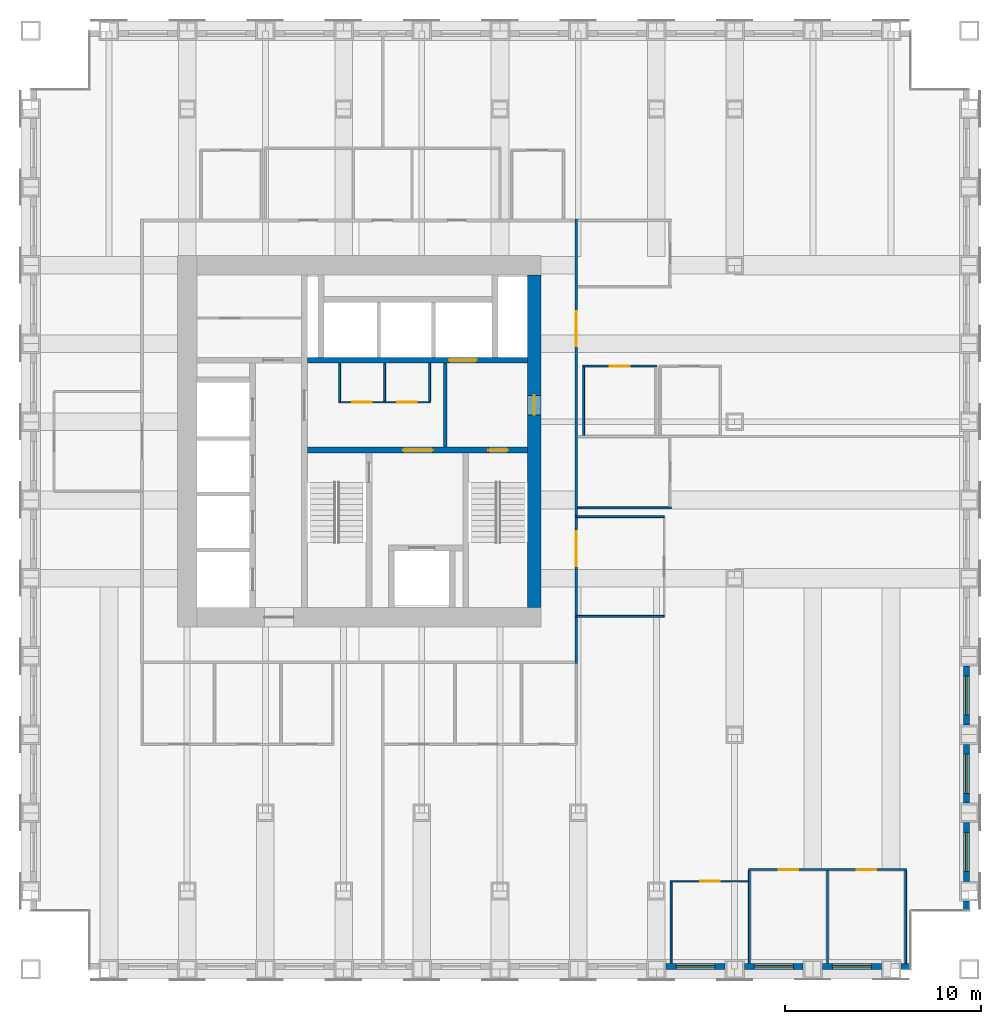
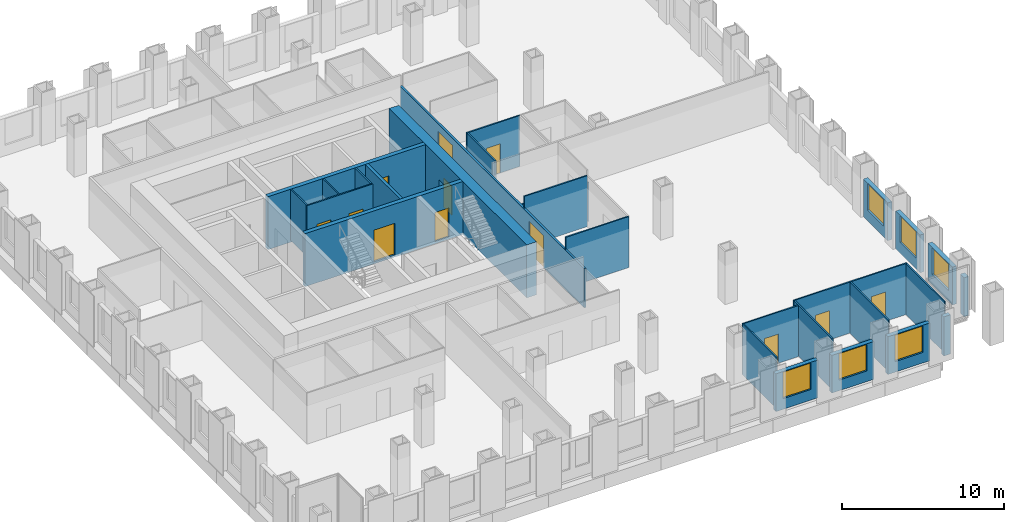
# One storey, part 12 of 16: 28 walls, 12 doors, 6 windows, 18 openings.
"""IFC4 building model written with IfcOpenShell, lengths in metres."""

from ifc_helpers import new_model, si_unit, direction, frame, frame_2d, origin, place, context, subcontext, project, spatial, rectangle, extrude, material, layer, layer_set, type_object, element, fill, save


model = new_model("IFC4")

# Units and contexts
model_context = context("Model", 3, precision=1e-05, world=origin(), true_north=direction((0.0, 1.0)))
body_context = subcontext(model_context, "Body", "Model", "MODEL_VIEW")
ifc_project = project(units=[si_unit("LENGTHUNIT", "METRE"), si_unit("AREAUNIT", "SQUARE_METRE"), si_unit("VOLUMEUNIT", "CUBIC_METRE"), si_unit("PLANEANGLEUNIT", "RADIAN"), si_unit("MASSUNIT", "GRAM", prefix="KILO")], contexts=[model_context])

# Site, building, storey
site_placement = place(None, origin())
site = spatial("IfcSite", under=ifc_project, at=site_placement, CompositionType="ELEMENT")
building_placement = place(site_placement, origin())
building = spatial("IfcBuilding", under=site, at=building_placement, Name="Rimbunsela Tower", CompositionType="ELEMENT")
storey_placement = place(building_placement, frame((0.0, 0.0, 93.39990234375)))
storey = spatial("IfcBuildingStorey", under=building, at=storey_placement, Name="L22", CompositionType="ELEMENT", Elevation=93.39990234375)

# Wall, openings, doors
ifc_material_1 = material(Name="Concrete fc' 80 MPa", Category="concrete")
ifc_layer_1 = layer(ifc_material_1, 0.300048828125)
ifc_layer_set_1 = layer_set([ifc_layer_1], Name="Core internal wall 300")
wall_type_1 = type_object("IfcWallType", Name="Core internal wall 300", PredefinedType="SHEAR", material=ifc_layer_set_1)
wall_1_placement = place(storey_placement, frame((24.14990234375, 26.550048828125, -0.14990234375), z_axis=(0.0, 0.0, 1.0), x_axis=(1.0, 0.0, 0.0)))
wall_1 = element("IfcWall", 1, at=wall_1_placement, inside=storey, type_object=wall_type_1, Name="Core wall lobby south", PredefinedType="SHEAR", context=body_context, shape_type="SweptSolid", body=[
    extrude(rectangle(XDim=11.25, YDim=0.300048828125, at=frame_2d((5.625, 0.0))), origin(), (0.0, 0.0, 1.0), 4.0),
])
opening_1_placement = place(wall_1_placement, frame((9.25, 0.0, 0.14990234375)))
opening_1 = element("IfcOpeningElement", 2, at=opening_1_placement, cuts=wall_1, Name="Opening D01", PredefinedType="OPENING", context=body_context, shape_type="SweptSolid", body=[
    extrude(rectangle(XDim=1.0, YDim=2.199951171875, at=frame_2d((0.5, 1.10009765625))), frame((0.0, 0.159912109375, 0.0), z_axis=(0.0, -1.0, 0.0), x_axis=(1.0, 0.0, 0.0)), (0.0, 0.0, 1.0), 0.320068359375),
])
opening_2_placement = place(wall_1_placement, frame((4.89990234375, 0.0, 0.14990234375)))
opening_2 = element("IfcOpeningElement", 3, at=opening_2_placement, cuts=wall_1, Name="Opening D03", PredefinedType="OPENING", context=body_context, shape_type="SweptSolid", body=[
    extrude(rectangle(XDim=1.5, YDim=2.39990234375, at=frame_2d((0.75, 1.199951171875))), frame((0.0, 0.159912109375, 0.0), z_axis=(0.0, -1.0, 0.0), x_axis=(1.0, 0.0, 0.0)), (0.0, 0.0, 1.0), 0.320068359375),
])
ifc_material_2 = material(Name="Steel door, fire rated", Category="steel")
door_type_1 = type_object("IfcDoorType", Name="Core lobby door 1500", OperationType="DOUBLE_DOOR_DOUBLE_SWING", PredefinedType="DOOR", material=ifc_material_2)
door_1_placement = place(opening_2_placement, origin())
door_1 = element("IfcDoor", 4, at=door_1_placement, inside=storey, type_object=door_type_1, Name="Firefighting lobby door", OperationType="DOUBLE_DOOR_DOUBLE_SWING", OverallHeight=2.39990234375, OverallWidth=1.5, PredefinedType="DOOR", context=body_context, shape_type="SweptSolid", body=[
    extrude(rectangle(XDim=1.5, YDim=2.39990234375, at=frame_2d((0.75, 1.199951171875))), frame((0.0, 0.02490234375, 0.0), z_axis=(0.0, -1.0, 0.0), x_axis=(1.0, 0.0, 0.0)), (0.0, 0.0, 1.0), 0.050048828125),
])
fill(opening_2, door_1)
ifc_material_3 = material(Name="Steel door, fire rated", Category="steel")
door_type_2 = type_object("IfcDoorType", Name="Stair door 1000", OperationType="SINGLE_SWING_RIGHT", PredefinedType="DOOR", material=ifc_material_3)
door_2_placement = place(opening_1_placement, frame((1.0, 0.0, 0.0), z_axis=(0.0, 0.0, 1.0), x_axis=(-1.0, 0.0, 0.0)))
door_2 = element("IfcDoor", 5, at=door_2_placement, inside=storey, type_object=door_type_2, Name="Stair B door", OperationType="SINGLE_SWING_RIGHT", OverallHeight=2.199951171875, OverallWidth=1.0, PredefinedType="DOOR", context=body_context, shape_type="SweptSolid", body=[
    extrude(rectangle(XDim=1.0, YDim=2.199951171875, at=frame_2d((0.5, 1.10009765625))), frame((0.0, 0.02490234375, 0.0), z_axis=(0.0, -1.0, 0.0), x_axis=(1.0, 0.0, 0.0)), (0.0, 0.0, 1.0), 0.050048828125),
])
fill(opening_1, door_2)

# Wall, opening, door
wall_2_placement = place(storey_placement, frame((24.14990234375, 31.14990234375, -0.14990234375), z_axis=(0.0, 0.0, 1.0), x_axis=(1.0, 0.0, 0.0)))
wall_2 = element("IfcWall", 6, at=wall_2_placement, inside=storey, type_object=wall_type_1, Name="Lift shaft front north", PredefinedType="SHEAR", context=body_context, shape_type="SweptSolid", body=[
    extrude(rectangle(XDim=11.25, YDim=0.300048828125, at=frame_2d((5.625, 0.0))), origin(), (0.0, 0.0, 1.0), 4.0),
])
opening_3_placement = place(wall_2_placement, frame((7.25, 0.0, 0.14990234375)))
opening_3 = element("IfcOpeningElement", 7, at=opening_3_placement, cuts=wall_2, Name="Opening LD3", PredefinedType="OPENING", context=body_context, shape_type="SweptSolid", body=[
    extrude(rectangle(XDim=1.39990234375, YDim=2.39990234375, at=frame_2d((0.699951171875, 1.199951171875))), frame((0.0, 0.159912109375, 0.0), z_axis=(0.0, -1.0, 0.0), x_axis=(1.0, 0.0, 0.0)), (0.0, 0.0, 1.0), 0.320068359375),
])
ifc_material_4 = material(Name="Steel door, fire rated", Category="steel")
door_type_3 = type_object("IfcDoorType", Name="Lift landing door 1400", OperationType="DOUBLE_DOOR_SLIDING", PredefinedType="DOOR", material=ifc_material_4)
door_3_placement = place(opening_3_placement, origin())
door_3 = element("IfcDoor", 8, at=door_3_placement, inside=storey, type_object=door_type_3, Name="Lift landing door FL2", OperationType="DOUBLE_DOOR_SLIDING", OverallHeight=2.39990234375, OverallWidth=1.39990234375, PredefinedType="DOOR", context=body_context, shape_type="SweptSolid", body=[
    extrude(rectangle(XDim=1.39990234375, YDim=2.39990234375, at=frame_2d((0.699951171875, 1.199951171875))), frame((0.0, 0.02490234375, 0.0), z_axis=(0.0, -1.0, 0.0), x_axis=(1.0, 0.0, 0.0)), (0.0, 0.0, 1.0), 0.050048828125),
])
fill(opening_3, door_3)

# Wall, openings, doors
ifc_material_5 = material(Name="Concrete blockwork", Category="masonry")
ifc_layer_2 = layer(ifc_material_5, 0.10009765625)
ifc_layer_set_2 = layer_set([ifc_layer_2], Name="Core room partition 100")
wall_type_2 = type_object("IfcWallType", Name="Core room partition 100", PredefinedType="PARTITIONING", material=ifc_layer_set_2)
wall_3_placement = place(storey_placement, frame((25.75, 29.0, 0.0), z_axis=(0.0, 0.0, 1.0), x_axis=(1.0, 0.0, 0.0)))
wall_3 = element("IfcWall", 9, at=wall_3_placement, inside=storey, type_object=wall_type_2, Name="Lobby room wall", PredefinedType="PARTITIONING", context=body_context, shape_type="SweptSolid", body=[
    extrude(rectangle(XDim=4.699951171875, YDim=0.10009765625, at=frame_2d((2.35009765625, 0.0))), origin(), (0.0, 0.0, 1.0), 3.85009765625),
])
opening_4_placement = place(wall_3_placement, frame((0.699951171875, 0.0, 0.0)))
opening_4 = element("IfcOpeningElement", 10, at=opening_4_placement, cuts=wall_3, Name="Opening D19", PredefinedType="OPENING", context=body_context, shape_type="SweptSolid", body=[
    extrude(rectangle(XDim=1.0, YDim=2.199951171875, at=frame_2d((0.5, 1.10009765625))), frame((0.0, 0.06005859375, 0.0), z_axis=(0.0, -1.0, 0.0), x_axis=(1.0, 0.0, 0.0)), (0.0, 0.0, 1.0), 0.1201171875),
])
opening_5_placement = place(wall_3_placement, frame((3.0, 0.0, 0.0)))
opening_5 = element("IfcOpeningElement", 11, at=opening_5_placement, cuts=wall_3, Name="Opening D19", PredefinedType="OPENING", context=body_context, shape_type="SweptSolid", body=[
    extrude(rectangle(XDim=1.0, YDim=2.199951171875, at=frame_2d((0.5, 1.10009765625))), frame((0.0, 0.06005859375, 0.0), z_axis=(0.0, -1.0, 0.0), x_axis=(1.0, 0.0, 0.0)), (0.0, 0.0, 1.0), 0.1201171875),
])
ifc_material_6 = material(Name="Steel door, fire rated", Category="steel")
door_type_4 = type_object("IfcDoorType", Name="Service door 1000 fire rated", OperationType="SINGLE_SWING_LEFT", PredefinedType="DOOR", material=ifc_material_6)
door_4_placement = place(opening_4_placement, origin())
door_4 = element("IfcDoor", 12, at=door_4_placement, inside=storey, type_object=door_type_4, Name="Staff WC door", OperationType="SINGLE_SWING_LEFT", OverallHeight=2.199951171875, OverallWidth=1.0, PredefinedType="DOOR", context=body_context, shape_type="SweptSolid", body=[
    extrude(rectangle(XDim=1.0, YDim=2.199951171875, at=frame_2d((0.5, 1.10009765625))), frame((0.0, 0.02490234375, 0.0), z_axis=(0.0, -1.0, 0.0), x_axis=(1.0, 0.0, 0.0)), (0.0, 0.0, 1.0), 0.050048828125),
])
fill(opening_4, door_4)
door_5_placement = place(opening_5_placement, origin())
door_5 = element("IfcDoor", 13, at=door_5_placement, inside=storey, type_object=door_type_4, Name="Cleaners store door", OperationType="SINGLE_SWING_LEFT", OverallHeight=2.199951171875, OverallWidth=1.0, PredefinedType="DOOR", context=body_context, shape_type="SweptSolid", body=[
    extrude(rectangle(XDim=1.0, YDim=2.199951171875, at=frame_2d((0.5, 1.10009765625))), frame((0.0, 0.02490234375, 0.0), z_axis=(0.0, -1.0, 0.0), x_axis=(1.0, 0.0, 0.0)), (0.0, 0.0, 1.0), 0.050048828125),
])
fill(opening_5, door_5)

# Walls
for number, where, z_axis, x_axis, name in (
    (14, (25.800048828125, 29.050048828125, 0.0), (0.0, 0.0, 1.0), (0.0, 1.0, 0.0), "Lobby room wall"),
    (15, (30.39990234375, 29.050048828125, 0.0), (0.0, 0.0, 1.0), (0.0, 1.0, 0.0), "Lobby room wall"),
    (16, (28.10009765625, 29.050048828125, 0.0), (0.0, 0.0, 1.0), (0.0, 1.0, 0.0), "Lobby room wall"),
):
    element("IfcWall", number, at=place(storey_placement, frame(where, z_axis=z_axis, x_axis=x_axis)), inside=storey, type_object=wall_type_2, Name=name, PredefinedType="PARTITIONING", context=body_context, shape_type="SweptSolid", body=[
        extrude(rectangle(XDim=1.949951171875, YDim=0.10009765625, at=frame_2d((0.97509765625, 0.0))), origin(), (0.0, 0.0, 1.0), 3.85009765625),
    ])

# Wall, opening, door
ifc_material_7 = material(Name="Concrete fc' 80 MPa", Category="concrete")
ifc_layer_3 = layer(ifc_material_7, 0.699951171875)
ifc_layer_set_3 = layer_set([ifc_layer_3], Name="Core wall 700 east")
wall_type_3 = type_object("IfcWallType", Name="Core wall 700 east", PredefinedType="SHEAR", material=ifc_layer_set_3)
wall_4_placement = place(storey_placement, frame((35.75, 18.5, -0.14990234375), z_axis=(0.0, 0.0, 1.0), x_axis=(0.0, 1.0, 0.0)))
wall_4 = element("IfcWall", 17, at=wall_4_placement, inside=storey, type_object=wall_type_3, Name="Core wall east", PredefinedType="SHEAR", context=body_context, shape_type="SweptSolid", body=[
    extrude(rectangle(XDim=17.0, YDim=0.699951171875, at=frame_2d((8.5, 0.0))), origin(), (0.0, 0.0, 1.0), 4.0),
])
opening_6_placement = place(wall_4_placement, frame((9.85009765625, 0.0, 0.14990234375)))
opening_6 = element("IfcOpeningElement", 18, at=opening_6_placement, cuts=wall_4, Name="Opening D01", PredefinedType="OPENING", context=body_context, shape_type="SweptSolid", body=[
    extrude(rectangle(XDim=1.0, YDim=2.199951171875, at=frame_2d((0.5, 1.10009765625))), frame((0.0, 0.35986328125, 0.0), z_axis=(0.0, -1.0, 0.0), x_axis=(1.0, 0.0, 0.0)), (0.0, 0.0, 1.0), 0.719970703125),
])
door_6_placement = place(opening_6_placement, origin())
door_6 = element("IfcDoor", 19, at=door_6_placement, inside=storey, type_object=door_type_2, Name="Firefighting lobby 2 door", OperationType="SINGLE_SWING_RIGHT", OverallHeight=2.199951171875, OverallWidth=1.0, PredefinedType="DOOR", context=body_context, shape_type="SweptSolid", body=[
    extrude(rectangle(XDim=1.0, YDim=2.199951171875, at=frame_2d((0.5, 1.10009765625))), frame((0.0, 0.02490234375, 0.0), z_axis=(0.0, -1.0, 0.0), x_axis=(1.0, 0.0, 0.0)), (0.0, 0.0, 1.0), 0.050048828125),
])
fill(opening_6, door_6)

# Wall
ifc_material_8 = material(Name="Concrete blockwork", Category="masonry")
ifc_layer_4 = layer(ifc_material_8, 0.199951171875)
ifc_layer_set_4 = layer_set([ifc_layer_4], Name="Lift shaft wall 200")
wall_type_4 = type_object("IfcWallType", Name="Lift shaft wall 200", PredefinedType="SOLIDWALL", material=ifc_layer_set_4)
wall_5_placement = place(storey_placement, frame((31.199951171875, 26.699951171875, 0.0), z_axis=(0.0, 0.0, 1.0), x_axis=(0.0, 1.0, 0.0)))
element("IfcWall", 20, at=wall_5_placement, inside=storey, type_object=wall_type_4, Name="Firefighting lobby 2 wall", PredefinedType="SOLIDWALL", context=body_context, shape_type="SweptSolid", body=[
    extrude(rectangle(XDim=4.300048828125, YDim=0.199951171875, at=frame_2d((2.14990234375, 0.0))), origin(), (0.0, 0.0, 1.0), 3.85009765625),
])

# Wall, opening, door
ifc_material_9 = material(Name="Gypsum board on steel studs", Category="steel")
ifc_layer_5 = layer(ifc_material_9, 0.10009765625)
ifc_layer_set_5 = layer_set([ifc_layer_5], Name="Office partition 100")
wall_type_5 = type_object("IfcWallType", Name="Office partition 100", PredefinedType="PARTITIONING", material=ifc_layer_set_5)
wall_6_placement = place(storey_placement, frame((42.699951171875, 4.5, 0.0), z_axis=(0.0, 0.0, 1.0), x_axis=(1.0, 0.0, 0.0)))
wall_6 = element("IfcWall", 21, at=wall_6_placement, inside=storey, type_object=wall_type_5, Name="Office partition", PredefinedType="PARTITIONING", context=body_context, shape_type="SweptSolid", body=[
    extrude(rectangle(XDim=4.0, YDim=0.10009765625, at=frame_2d((2.0, 0.0))), origin(), (0.0, 0.0, 1.0), 3.85009765625),
])
opening_7_placement = place(wall_6_placement, frame((1.550048828125, 0.0, 0.0)))
opening_7 = element("IfcOpeningElement", 22, at=opening_7_placement, cuts=wall_6, Name="Opening D16", PredefinedType="OPENING", context=body_context, shape_type="SweptSolid", body=[
    extrude(rectangle(XDim=1.0, YDim=2.199951171875, at=frame_2d((0.5, 1.10009765625))), frame((0.0, 0.06005859375, 0.0), z_axis=(0.0, -1.0, 0.0), x_axis=(1.0, 0.0, 0.0)), (0.0, 0.0, 1.0), 0.1201171875),
])
ifc_material_10 = material(Name="Timber door", Category="wood")
door_type_5 = type_object("IfcDoorType", Name="Office door 1000", OperationType="SINGLE_SWING_LEFT", PredefinedType="DOOR", material=ifc_material_10)
door_7_placement = place(opening_7_placement, origin())
door_7 = element("IfcDoor", 23, at=door_7_placement, inside=storey, type_object=door_type_5, Name="Office door", OperationType="SINGLE_SWING_LEFT", OverallHeight=2.199951171875, OverallWidth=1.0, PredefinedType="DOOR", context=body_context, shape_type="SweptSolid", body=[
    extrude(rectangle(XDim=1.0, YDim=2.199951171875, at=frame_2d((0.5, 1.10009765625))), frame((0.0, 0.02490234375, 0.0), z_axis=(0.0, -1.0, 0.0), x_axis=(1.0, 0.0, 0.0)), (0.0, 0.0, 1.0), 0.050048828125),
])
fill(opening_7, door_7)

# Wall, openings, doors
wall_7_placement = place(storey_placement, frame((46.699951171875, 5.10009765625, 0.0), z_axis=(0.0, 0.0, 1.0), x_axis=(1.0, 0.0, 0.0)))
wall_7 = element("IfcWall", 24, at=wall_7_placement, inside=storey, type_object=wall_type_5, Name="Office partition", PredefinedType="PARTITIONING", context=body_context, shape_type="SweptSolid", body=[
    extrude(rectangle(XDim=8.10009765625, YDim=0.10009765625, at=frame_2d((4.050048828125, 0.0))), origin(), (0.0, 0.0, 1.0), 3.85009765625),
])
opening_8_placement = place(wall_7_placement, frame((1.550048828125, 0.0, 0.0)))
opening_8 = element("IfcOpeningElement", 25, at=opening_8_placement, cuts=wall_7, Name="Opening D17", PredefinedType="OPENING", context=body_context, shape_type="SweptSolid", body=[
    extrude(rectangle(XDim=1.0, YDim=2.199951171875, at=frame_2d((0.5, 1.10009765625))), frame((0.0, 0.06005859375, 0.0), z_axis=(0.0, -1.0, 0.0), x_axis=(1.0, 0.0, 0.0)), (0.0, 0.0, 1.0), 0.1201171875),
])
opening_9_placement = place(wall_7_placement, frame((5.550048828125, 0.0, 0.0)))
opening_9 = element("IfcOpeningElement", 26, at=opening_9_placement, cuts=wall_7, Name="Opening D17", PredefinedType="OPENING", context=body_context, shape_type="SweptSolid", body=[
    extrude(rectangle(XDim=1.0, YDim=2.199951171875, at=frame_2d((0.5, 1.10009765625))), frame((0.0, 0.06005859375, 0.0), z_axis=(0.0, -1.0, 0.0), x_axis=(1.0, 0.0, 0.0)), (0.0, 0.0, 1.0), 0.1201171875),
])
ifc_material_11 = material(Name="Glazed aluminium door", Category="aluminium")
door_type_6 = type_object("IfcDoorType", Name="Meeting room door 1000 glazed", OperationType="SINGLE_SWING_RIGHT", PredefinedType="DOOR", material=ifc_material_11)
door_8_placement = place(opening_8_placement, origin())
door_8 = element("IfcDoor", 27, at=door_8_placement, inside=storey, type_object=door_type_6, Name="Meeting room door", OperationType="SINGLE_SWING_RIGHT", OverallHeight=2.199951171875, OverallWidth=1.0, PredefinedType="DOOR", context=body_context, shape_type="SweptSolid", body=[
    extrude(rectangle(XDim=1.0, YDim=2.199951171875, at=frame_2d((0.5, 1.10009765625))), frame((0.0, 0.02490234375, 0.0), z_axis=(0.0, -1.0, 0.0), x_axis=(1.0, 0.0, 0.0)), (0.0, 0.0, 1.0), 0.050048828125),
])
fill(opening_8, door_8)
door_9_placement = place(opening_9_placement, origin())
door_9 = element("IfcDoor", 28, at=door_9_placement, inside=storey, type_object=door_type_6, Name="Meeting room door", OperationType="SINGLE_SWING_RIGHT", OverallHeight=2.199951171875, OverallWidth=1.0, PredefinedType="DOOR", context=body_context, shape_type="SweptSolid", body=[
    extrude(rectangle(XDim=1.0, YDim=2.199951171875, at=frame_2d((0.5, 1.10009765625))), frame((0.0, 0.02490234375, 0.0), z_axis=(0.0, -1.0, 0.0), x_axis=(1.0, 0.0, 0.0)), (0.0, 0.0, 1.0), 0.050048828125),
])
fill(opening_9, door_9)

# Wall
wall_8_placement = place(storey_placement, frame((37.97509765625, 23.59912109375, 0.0), z_axis=(0.0, 0.0, 1.0), x_axis=(1.0, 0.0, 0.0)))
element("IfcWall", 29, at=wall_8_placement, inside=storey, type_object=wall_type_5, Name="Office partition", PredefinedType="PARTITIONING", context=body_context, shape_type="SweptSolid", body=[
    extrude(rectangle(XDim=4.77490234375, YDim=0.10009765625, at=frame_2d((2.387451171875, 0.0))), origin(), (0.0, 0.0, 1.0), 2.9501953125),
])

# Wall, opening, door
wall_9_placement = place(storey_placement, frame((38.22509765625, 30.85009765625, 0.0), z_axis=(0.0, 0.0, 1.0), x_axis=(1.0, 0.0, 0.0)))
wall_9 = element("IfcWall", 30, at=wall_9_placement, inside=storey, type_object=wall_type_5, Name="Office partition", PredefinedType="PARTITIONING", context=body_context, shape_type="SweptSolid", body=[
    extrude(rectangle(XDim=3.7998046875, YDim=0.10009765625, at=frame_2d((1.89990234375, 0.0))), origin(), (0.0, 0.0, 1.0), 3.85009765625),
])
opening_10_placement = place(wall_9_placement, frame((1.39990234375, 0.0, 0.0)))
opening_10 = element("IfcOpeningElement", 31, at=opening_10_placement, cuts=wall_9, Name="Opening D17", PredefinedType="OPENING", context=body_context, shape_type="SweptSolid", body=[
    extrude(rectangle(XDim=1.0, YDim=2.199951171875, at=frame_2d((0.5, 1.10009765625))), frame((0.0, 0.06005859375, 0.0), z_axis=(0.0, -1.0, 0.0), x_axis=(1.0, 0.0, 0.0)), (0.0, 0.0, 1.0), 0.1201171875),
])
door_10_placement = place(opening_10_placement, origin())
door_10 = element("IfcDoor", 32, at=door_10_placement, inside=storey, type_object=door_type_6, Name="Meeting room door", OperationType="SINGLE_SWING_RIGHT", OverallHeight=2.199951171875, OverallWidth=1.0, PredefinedType="DOOR", context=body_context, shape_type="SweptSolid", body=[
    extrude(rectangle(XDim=1.0, YDim=2.199951171875, at=frame_2d((0.5, 1.10009765625))), frame((0.0, 0.02490234375, 0.0), z_axis=(0.0, -1.0, 0.0), x_axis=(1.0, 0.0, 0.0)), (0.0, 0.0, 1.0), 0.050048828125),
])
fill(opening_10, door_10)

# Walls
wall_10_placement = place(storey_placement, frame((38.27490234375, 27.31005859375, 0.0), z_axis=(0.0, 0.0, 1.0), x_axis=(0.0, 1.0, 0.0)))
element("IfcWall", 33, at=wall_10_placement, inside=storey, type_object=wall_type_5, Name="Office partition", PredefinedType="PARTITIONING", context=body_context, shape_type="SweptSolid", body=[
    extrude(rectangle(XDim=3.489990234375, YDim=0.10009765625, at=frame_2d((1.7451171875, 0.0))), origin(), (0.0, 0.0, 1.0), 3.85009765625),
])
wall_11_placement = place(storey_placement, frame((42.75, 0.300048828125, 0.0), z_axis=(0.0, 0.0, 1.0), x_axis=(0.0, 1.0, 0.0)))
element("IfcWall", 34, at=wall_11_placement, inside=storey, type_object=wall_type_5, Name="Office partition", PredefinedType="PARTITIONING", context=body_context, shape_type="SweptSolid", body=[
    extrude(rectangle(XDim=4.14990234375, YDim=0.10009765625, at=frame_2d((2.074951171875, 0.0))), origin(), (0.0, 0.0, 1.0), 3.85009765625),
])
for number, where, z_axis, x_axis, name in (
    (35, (46.75, 0.300048828125, 0.0), (0.0, 0.0, 1.0), (0.0, 1.0, 0.0), "Office partition"),
    (36, (50.75, 0.300048828125, 0.0), (0.0, 0.0, 1.0), (0.0, 1.0, 0.0), "Office partition"),
    (37, (54.75, 0.300048828125, 0.0), (0.0, 0.0, 1.0), (0.0, 1.0, 0.0), "Office partition"),
):
    element("IfcWall", number, at=place(storey_placement, frame(where, z_axis=z_axis, x_axis=x_axis)), inside=storey, type_object=wall_type_5, Name=name, PredefinedType="PARTITIONING", context=body_context, shape_type="SweptSolid", body=[
        extrude(rectangle(XDim=4.75, YDim=0.10009765625, at=frame_2d((2.375, 0.0))), origin(), (0.0, 0.0, 1.0), 3.85009765625),
    ])
for number, where, z_axis, x_axis, name in (
    (38, (37.89990234375, 18.049072265625, 0.0), (0.0, 0.0, 1.0), (1.0, 0.0, 0.0), "Office partition"),
    (39, (42.39990234375, 23.14892578125, 0.0), (0.0, 0.0, 1.0), (-1.0, 0.0, 0.0), "Office partition"),
):
    element("IfcWall", number, at=place(storey_placement, frame(where, z_axis=z_axis, x_axis=x_axis)), inside=storey, type_object=wall_type_5, Name=name, PredefinedType="PARTITIONING", context=body_context, shape_type="SweptSolid", body=[
        extrude(rectangle(XDim=4.5, YDim=0.10009765625, at=frame_2d((2.25, 0.0))), origin(), (0.0, 0.0, 1.0), 3.85009765625),
    ])

# Wall, opening, window
ifc_material_12 = material(Name="Precast concrete fc' 35 MPa", Category="concrete")
ifc_layer_6 = layer(ifc_material_12, 0.300048828125)
ifc_layer_set_6 = layer_set([ifc_layer_6], Name="Precast concrete fc' 35 MPa")
wall_type_6 = type_object("IfcWallType", Name="Precast facade panel 300", PredefinedType="ELEMENTEDWALL", material=ifc_layer_set_6)
wall_12_placement = place(storey_placement, frame((42.5, 0.14990234375, 0.0), z_axis=(0.0, 0.0, 1.0), x_axis=(1.0, 0.0, 0.0)))
wall_12 = element("IfcWall", 40, at=wall_12_placement, inside=storey, type_object=wall_type_6, Name="Facade panel S L22", PredefinedType="ELEMENTEDWALL", context=body_context, shape_type="SweptSolid", body=[
    extrude(rectangle(XDim=3.0, YDim=0.300048828125, at=frame_2d((1.5, 0.0))), origin(), (0.0, 0.0, 1.0), 2.85009765625),
])
opening_11_placement = place(wall_12_placement, frame((0.5, 0.0, 0.800048828125)))
opening_11 = element("IfcOpeningElement", 41, at=opening_11_placement, cuts=wall_12, Name="Opening W1", PredefinedType="OPENING", context=body_context, shape_type="SweptSolid", body=[
    extrude(rectangle(XDim=2.0, YDim=2.0, at=frame_2d((1.0, 1.0))), frame((0.0, 0.159912109375, 0.0), z_axis=(0.0, -1.0, 0.0), x_axis=(1.0, 0.0, 0.0)), (0.0, 0.0, 1.0), 0.320068359375),
])
ifc_material_13 = material(Name="Clear glass in aluminium frame", Category="aluminium")
window_type = type_object("IfcWindowType", Name="Window W1 2000x2000", PartitioningType="DOUBLE_PANEL_VERTICAL", PredefinedType="WINDOW", material=ifc_material_13)
window_1_placement = place(opening_11_placement, origin())
window_1 = element("IfcWindow", 42, at=window_1_placement, inside=storey, type_object=window_type, Name="Window L22", OverallHeight=2.0, OverallWidth=2.0, PartitioningType="SINGLE_PANEL", PredefinedType="WINDOW", context=body_context, shape_type="SweptSolid", body=[
    extrude(rectangle(XDim=2.0, YDim=2.0, at=frame_2d((1.0, 1.0))), frame((0.0, 0.030029296875, 0.0), z_axis=(0.0, -1.0, 0.0), x_axis=(1.0, 0.0, 0.0)), (0.0, 0.0, 1.0), 0.06005859375),
])
fill(opening_11, window_1)

wall_13_placement = place(storey_placement, frame((46.5, 0.14990234375, 0.0), z_axis=(0.0, 0.0, 1.0), x_axis=(1.0, 0.0, 0.0)))
wall_13 = element("IfcWall", 43, at=wall_13_placement, inside=storey, type_object=wall_type_6, Name="Facade panel S L22", PredefinedType="ELEMENTEDWALL", context=body_context, shape_type="SweptSolid", body=[
    extrude(rectangle(XDim=3.0, YDim=0.300048828125, at=frame_2d((1.5, 0.0))), origin(), (0.0, 0.0, 1.0), 2.85009765625),
])
opening_12_placement = place(wall_13_placement, frame((0.5, 0.0, 0.800048828125)))
opening_12 = element("IfcOpeningElement", 44, at=opening_12_placement, cuts=wall_13, Name="Opening W1", PredefinedType="OPENING", context=body_context, shape_type="SweptSolid", body=[
    extrude(rectangle(XDim=2.0, YDim=2.0, at=frame_2d((1.0, 1.0))), frame((0.0, 0.159912109375, 0.0), z_axis=(0.0, -1.0, 0.0), x_axis=(1.0, 0.0, 0.0)), (0.0, 0.0, 1.0), 0.320068359375),
])
window_2_placement = place(opening_12_placement, origin())
window_2 = element("IfcWindow", 45, at=window_2_placement, inside=storey, type_object=window_type, Name="Window L22", OverallHeight=2.0, OverallWidth=2.0, PartitioningType="SINGLE_PANEL", PredefinedType="WINDOW", context=body_context, shape_type="SweptSolid", body=[
    extrude(rectangle(XDim=2.0, YDim=2.0, at=frame_2d((1.0, 1.0))), frame((0.0, 0.030029296875, 0.0), z_axis=(0.0, -1.0, 0.0), x_axis=(1.0, 0.0, 0.0)), (0.0, 0.0, 1.0), 0.06005859375),
])
fill(opening_12, window_2)

wall_14_placement = place(storey_placement, frame((50.5, 0.14990234375, 0.0), z_axis=(0.0, 0.0, 1.0), x_axis=(1.0, 0.0, 0.0)))
wall_14 = element("IfcWall", 46, at=wall_14_placement, inside=storey, type_object=wall_type_6, Name="Facade panel S L22", PredefinedType="ELEMENTEDWALL", context=body_context, shape_type="SweptSolid", body=[
    extrude(rectangle(XDim=3.0, YDim=0.300048828125, at=frame_2d((1.5, 0.0))), origin(), (0.0, 0.0, 1.0), 2.85009765625),
])
opening_13_placement = place(wall_14_placement, frame((0.5, 0.0, 0.800048828125)))
opening_13 = element("IfcOpeningElement", 47, at=opening_13_placement, cuts=wall_14, Name="Opening W1", PredefinedType="OPENING", context=body_context, shape_type="SweptSolid", body=[
    extrude(rectangle(XDim=2.0, YDim=2.0, at=frame_2d((1.0, 1.0))), frame((0.0, 0.159912109375, 0.0), z_axis=(0.0, -1.0, 0.0), x_axis=(1.0, 0.0, 0.0)), (0.0, 0.0, 1.0), 0.320068359375),
])
window_3_placement = place(opening_13_placement, origin())
window_3 = element("IfcWindow", 48, at=window_3_placement, inside=storey, type_object=window_type, Name="Window L22", OverallHeight=2.0, OverallWidth=2.0, PartitioningType="SINGLE_PANEL", PredefinedType="WINDOW", context=body_context, shape_type="SweptSolid", body=[
    extrude(rectangle(XDim=2.0, YDim=2.0, at=frame_2d((1.0, 1.0))), frame((0.0, 0.030029296875, 0.0), z_axis=(0.0, -1.0, 0.0), x_axis=(1.0, 0.0, 0.0)), (0.0, 0.0, 1.0), 0.06005859375),
])
fill(opening_13, window_3)

# Walls
for number, where, z_axis, x_axis, name in (
    (49, (54.5, 0.14990234375, 0.0), (0.0, 0.0, 1.0), (1.0, 0.0, 0.0), "Facade panel S L22"),
    (50, (57.85009765625, 3.030029296875, 0.0), (0.0, 0.0, 1.0), (0.0, 1.0, 0.0), "Facade panel E L22"),
):
    element("IfcWall", number, at=place(storey_placement, frame(where, z_axis=z_axis, x_axis=x_axis)), inside=storey, type_object=wall_type_6, Name=name, PredefinedType="ELEMENTEDWALL", context=body_context, shape_type="SweptSolid", body=[
        extrude(rectangle(XDim=0.469970703125, YDim=0.300048828125, at=frame_2d((0.23486328125, 0.0))), origin(), (0.0, 0.0, 1.0), 2.9501953125),
    ])

# Wall, opening, window
wall_15_placement = place(storey_placement, frame((57.85009765625, 4.5, 0.0), z_axis=(0.0, 0.0, 1.0), x_axis=(0.0, 1.0, 0.0)))
wall_15 = element("IfcWall", 51, at=wall_15_placement, inside=storey, type_object=wall_type_6, Name="Facade panel E L22", PredefinedType="ELEMENTEDWALL", context=body_context, shape_type="SweptSolid", body=[
    extrude(rectangle(XDim=3.0, YDim=0.300048828125, at=frame_2d((1.5, 0.0))), origin(), (0.0, 0.0, 1.0), 2.85009765625),
])
opening_14_placement = place(wall_15_placement, frame((0.5, 0.0, 0.800048828125)))
opening_14 = element("IfcOpeningElement", 52, at=opening_14_placement, cuts=wall_15, Name="Opening W1", PredefinedType="OPENING", context=body_context, shape_type="SweptSolid", body=[
    extrude(rectangle(XDim=2.0, YDim=2.0, at=frame_2d((1.0, 1.0))), frame((0.0, 0.159912109375, 0.0), z_axis=(0.0, -1.0, 0.0), x_axis=(1.0, 0.0, 0.0)), (0.0, 0.0, 1.0), 0.320068359375),
])
window_4_placement = place(opening_14_placement, origin())
window_4 = element("IfcWindow", 53, at=window_4_placement, inside=storey, type_object=window_type, Name="Window L22", OverallHeight=2.0, OverallWidth=2.0, PartitioningType="SINGLE_PANEL", PredefinedType="WINDOW", context=body_context, shape_type="SweptSolid", body=[
    extrude(rectangle(XDim=2.0, YDim=2.0, at=frame_2d((1.0, 1.0))), frame((0.0, 0.030029296875, 0.0), z_axis=(0.0, -1.0, 0.0), x_axis=(1.0, 0.0, 0.0)), (0.0, 0.0, 1.0), 0.06005859375),
])
fill(opening_14, window_4)

wall_16_placement = place(storey_placement, frame((57.85009765625, 8.5, 0.0), z_axis=(0.0, 0.0, 1.0), x_axis=(0.0, 1.0, 0.0)))
wall_16 = element("IfcWall", 54, at=wall_16_placement, inside=storey, type_object=wall_type_6, Name="Facade panel E L22", PredefinedType="ELEMENTEDWALL", context=body_context, shape_type="SweptSolid", body=[
    extrude(rectangle(XDim=3.0, YDim=0.300048828125, at=frame_2d((1.5, 0.0))), origin(), (0.0, 0.0, 1.0), 2.85009765625),
])
opening_15_placement = place(wall_16_placement, frame((0.5, 0.0, 0.800048828125)))
opening_15 = element("IfcOpeningElement", 55, at=opening_15_placement, cuts=wall_16, Name="Opening W1", PredefinedType="OPENING", context=body_context, shape_type="SweptSolid", body=[
    extrude(rectangle(XDim=2.0, YDim=2.0, at=frame_2d((1.0, 1.0))), frame((0.0, 0.159912109375, 0.0), z_axis=(0.0, -1.0, 0.0), x_axis=(1.0, 0.0, 0.0)), (0.0, 0.0, 1.0), 0.320068359375),
])
window_5_placement = place(opening_15_placement, origin())
window_5 = element("IfcWindow", 56, at=window_5_placement, inside=storey, type_object=window_type, Name="Window L22", OverallHeight=2.0, OverallWidth=2.0, PartitioningType="SINGLE_PANEL", PredefinedType="WINDOW", context=body_context, shape_type="SweptSolid", body=[
    extrude(rectangle(XDim=2.0, YDim=2.0, at=frame_2d((1.0, 1.0))), frame((0.0, 0.030029296875, 0.0), z_axis=(0.0, -1.0, 0.0), x_axis=(1.0, 0.0, 0.0)), (0.0, 0.0, 1.0), 0.06005859375),
])
fill(opening_15, window_5)

wall_17_placement = place(storey_placement, frame((57.85009765625, 12.5, 0.0), z_axis=(0.0, 0.0, 1.0), x_axis=(0.0, 1.0, 0.0)))
wall_17 = element("IfcWall", 57, at=wall_17_placement, inside=storey, type_object=wall_type_6, Name="Facade panel E L22", PredefinedType="ELEMENTEDWALL", context=body_context, shape_type="SweptSolid", body=[
    extrude(rectangle(XDim=3.0, YDim=0.300048828125, at=frame_2d((1.5, 0.0))), origin(), (0.0, 0.0, 1.0), 2.85009765625),
])
opening_16_placement = place(wall_17_placement, frame((0.5, 0.0, 0.800048828125)))
opening_16 = element("IfcOpeningElement", 58, at=opening_16_placement, cuts=wall_17, Name="Opening W1", PredefinedType="OPENING", context=body_context, shape_type="SweptSolid", body=[
    extrude(rectangle(XDim=2.0, YDim=2.0, at=frame_2d((1.0, 1.0))), frame((0.0, 0.159912109375, 0.0), z_axis=(0.0, -1.0, 0.0), x_axis=(1.0, 0.0, 0.0)), (0.0, 0.0, 1.0), 0.320068359375),
])
window_6_placement = place(opening_16_placement, origin())
window_6 = element("IfcWindow", 59, at=window_6_placement, inside=storey, type_object=window_type, Name="Window L22", OverallHeight=2.0, OverallWidth=2.0, PartitioningType="SINGLE_PANEL", PredefinedType="WINDOW", context=body_context, shape_type="SweptSolid", body=[
    extrude(rectangle(XDim=2.0, YDim=2.0, at=frame_2d((1.0, 1.0))), frame((0.0, 0.030029296875, 0.0), z_axis=(0.0, -1.0, 0.0), x_axis=(1.0, 0.0, 0.0)), (0.0, 0.0, 1.0), 0.06005859375),
])
fill(opening_16, window_6)

# Wall, openings, doors
ifc_material_14 = material(Name="Fire-rated gypsum board on steel studs, EI 60", Category="steel")
ifc_layer_7 = layer(ifc_material_14, 0.14990234375)
ifc_layer_set_7 = layer_set([ifc_layer_7], Name="Rated corridor wall 150")
wall_type_7 = type_object("IfcWallType", Name="Rated corridor wall 150", PredefinedType="PARTITIONING", material=ifc_layer_set_7)
wall_18_placement = place(storey_placement, frame((37.89990234375, 15.625, 0.0), z_axis=(0.0, 0.0, 1.0), x_axis=(0.0, 1.0, 0.0)))
wall_18 = element("IfcWall", 60, at=wall_18_placement, inside=storey, type_object=wall_type_7, Name="Corridor wall east", PredefinedType="PARTITIONING", context=body_context, shape_type="SweptSolid", body=[
    extrude(rectangle(XDim=22.75, YDim=0.14990234375, at=frame_2d((11.375, 0.0))), origin(), (0.0, 0.0, 1.0), 2.9501953125),
])
opening_17_placement = place(wall_18_placement, frame((4.97412109375, 0.0, 0.0)))
opening_17 = element("IfcOpeningElement", 61, at=opening_17_placement, cuts=wall_18, Name="Opening D09", PredefinedType="OPENING", context=body_context, shape_type="SweptSolid", body=[
    extrude(rectangle(XDim=1.800048828125, YDim=2.39990234375, at=frame_2d((0.89990234375, 1.199951171875))), frame((0.0, 0.0849609375, 0.0), z_axis=(0.0, -1.0, 0.0), x_axis=(1.0, 0.0, 0.0)), (0.0, 0.0, 1.0), 0.169921875),
])
opening_18_placement = place(wall_18_placement, frame((16.22607421875, 0.0, 0.0)))
opening_18 = element("IfcOpeningElement", 62, at=opening_18_placement, cuts=wall_18, Name="Opening D09", PredefinedType="OPENING", context=body_context, shape_type="SweptSolid", body=[
    extrude(rectangle(XDim=1.800048828125, YDim=2.39990234375, at=frame_2d((0.89990234375, 1.199951171875))), frame((0.0, 0.0849609375, 0.0), z_axis=(0.0, -1.0, 0.0), x_axis=(1.0, 0.0, 0.0)), (0.0, 0.0, 1.0), 0.169921875),
])
ifc_material_15 = material(Name="Glazed aluminium door, fire rated", Category="aluminium")
door_type_7 = type_object("IfcDoorType", Name="Tenancy door 1800 glazed", OperationType="DOUBLE_DOOR_DOUBLE_SWING", PredefinedType="DOOR", material=ifc_material_15)
door_11_placement = place(opening_17_placement, origin())
door_11 = element("IfcDoor", 63, at=door_11_placement, inside=storey, type_object=door_type_7, Name="Tenancy door", OperationType="DOUBLE_DOOR_DOUBLE_SWING", OverallHeight=2.39990234375, OverallWidth=1.800048828125, PredefinedType="DOOR", context=body_context, shape_type="SweptSolid", body=[
    extrude(rectangle(XDim=1.800048828125, YDim=2.39990234375, at=frame_2d((0.89990234375, 1.199951171875))), frame((0.0, 0.02490234375, 0.0), z_axis=(0.0, -1.0, 0.0), x_axis=(1.0, 0.0, 0.0)), (0.0, 0.0, 1.0), 0.050048828125),
])
fill(opening_17, door_11)
door_12_placement = place(opening_18_placement, origin())
door_12 = element("IfcDoor", 64, at=door_12_placement, inside=storey, type_object=door_type_7, Name="Tenancy door", OperationType="DOUBLE_DOOR_DOUBLE_SWING", OverallHeight=2.39990234375, OverallWidth=1.800048828125, PredefinedType="DOOR", context=body_context, shape_type="SweptSolid", body=[
    extrude(rectangle(XDim=1.800048828125, YDim=2.39990234375, at=frame_2d((0.89990234375, 1.199951171875))), frame((0.0, 0.02490234375, 0.0), z_axis=(0.0, -1.0, 0.0), x_axis=(1.0, 0.0, 0.0)), (0.0, 0.0, 1.0), 0.050048828125),
])
fill(opening_18, door_12)

save(model, "model.ifc")
